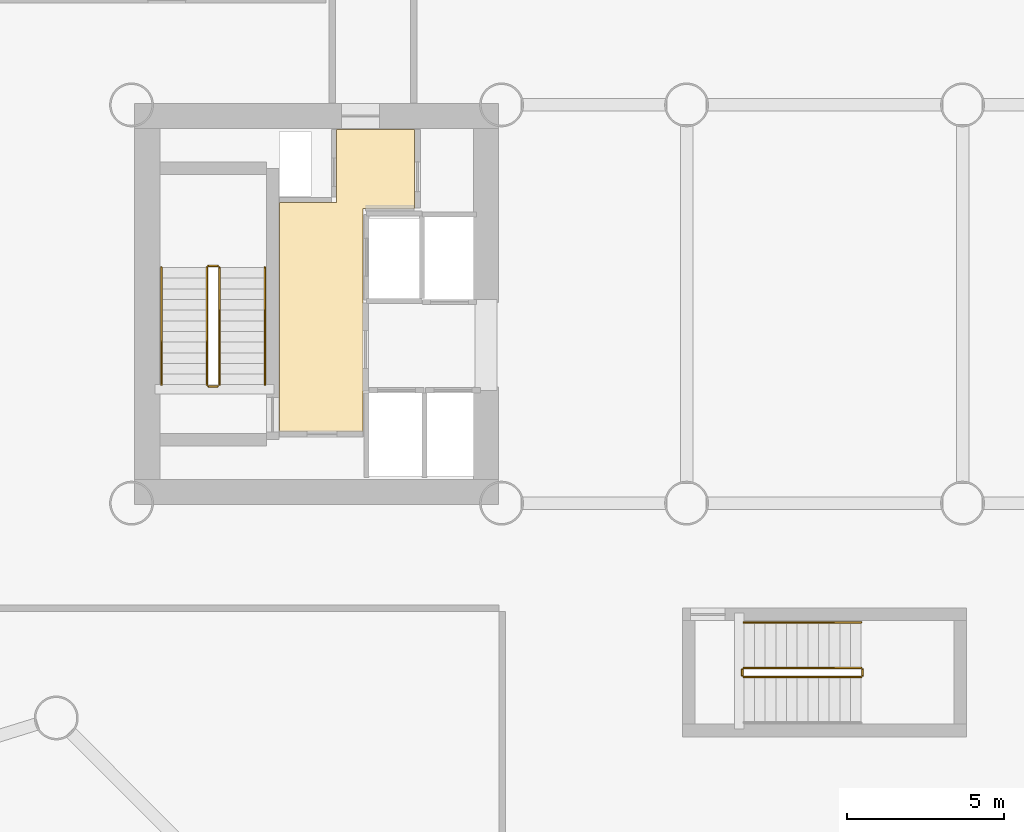
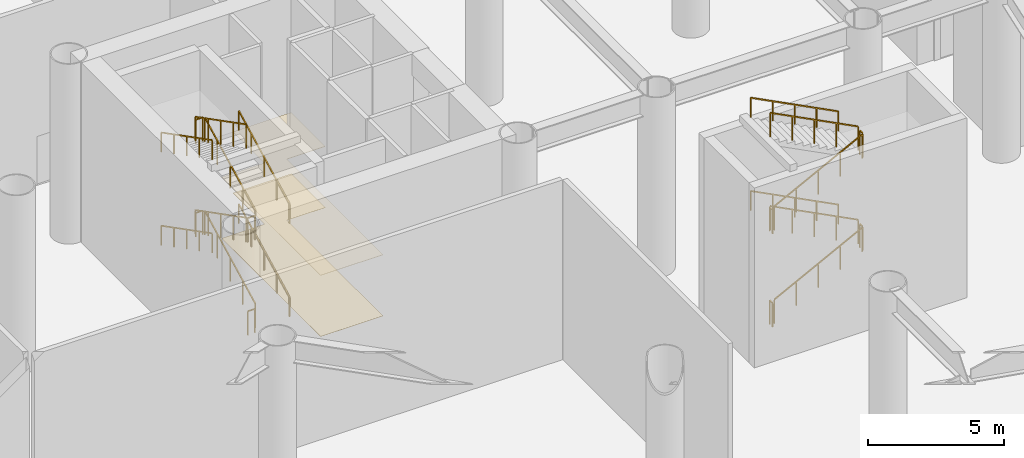
# One storey, part 27 of 28: 22 railings, 2 coverings.
"""IFC4 building model written with IfcOpenShell, lengths in metres."""

from ifc_helpers import new_model, si_unit, direction, frame, origin, origin_2d, place, context, subcontext, project, spatial, polyline, rectangle, outline, extrude, material, layer, layer_set, type_object, element, save


model = new_model("IFC4")

# Units and contexts
model_context = context("Model", 3, precision=1e-05, world=origin(), true_north=direction((0.0, 1.0)))
body_context = subcontext(model_context, "Body", "Model", "MODEL_VIEW")
ifc_project = project(units=[si_unit("LENGTHUNIT", "METRE"), si_unit("AREAUNIT", "SQUARE_METRE"), si_unit("VOLUMEUNIT", "CUBIC_METRE"), si_unit("PLANEANGLEUNIT", "RADIAN"), si_unit("MASSUNIT", "GRAM", prefix="KILO")], contexts=[model_context])

# Site, building, storey
site_placement = place(None, origin())
site = spatial("IfcSite", under=ifc_project, at=site_placement, CompositionType="ELEMENT")
building_placement = place(site_placement, origin())
building = spatial("IfcBuilding", under=site, at=building_placement, Name="Tavrogorsk Clinical Tower", CompositionType="ELEMENT")
storey_placement = place(building_placement, origin())
storey = spatial("IfcBuildingStorey", under=building, at=storey_placement, Name="L00", CompositionType="ELEMENT", Elevation=0.0)

# Coverings
ifc_material_1 = material(Name="Antibacterial micro-perforated aluminium ceiling", Category="aluminium")
ifc_layer_1 = layer(ifc_material_1, 0.014892578125)
ifc_layer_set_1 = layer_set([ifc_layer_1], Name="Antibacterial micro-perforated aluminium ceiling")
covering_type_1 = type_object("IfcCoveringType", Name="ClinicalCeiling_15", PredefinedType="CEILING", material=ifc_layer_set_1)
covering_1_placement = place(storey_placement, frame((0.0, 0.0, 2.75)))
element("IfcCovering", 1, at=covering_1_placement, inside=storey, type_object=covering_type_1, Name="Core West Firefighting Lift Lobby Acoustic Ceiling", PredefinedType="CEILING", context=body_context, shape_type="SweptSolid", body=[
    extrude(outline(polyline([(-14.719970703125, -4.06005859375), (-17.3798828125, -4.06005859375), (-17.3798828125, 3.239990234375), (-15.56005859375, 3.239990234375), (-15.56005859375, 5.56005859375), (-14.719970703125, 5.56005859375), (-13.080078125, 5.56005859375), (-13.080078125, 3.0400390625), (-14.719970703125, 3.0400390625), (-14.719970703125, -4.06005859375)])), origin(), (0.0, 0.0, 1.0), 0.014892578125),
])
ifc_material_2 = material(Name="Homogeneous medical conductive PVC flooring")
ifc_layer_2 = layer(ifc_material_2, 0.008056640625)
ifc_layer_set_2 = layer_set([ifc_layer_2], Name="Homogeneous medical conductive PVC flooring")
covering_type_2 = type_object("IfcCoveringType", Name="ResilientVinylFloor_8", PredefinedType="FLOORING", material=ifc_layer_set_2)
covering_2_placement = place(storey_placement, origin())
element("IfcCovering", 2, at=covering_2_placement, inside=storey, type_object=covering_type_2, Name="Core West Firefighting Lift Lobby Conductive Vinyl Flooring", PredefinedType="FLOORING", context=body_context, shape_type="SweptSolid", body=[
    extrude(outline(polyline([(-14.719970703125, -4.06005859375), (-17.3798828125, -4.06005859375), (-17.3798828125, 3.239990234375), (-15.56005859375, 3.239990234375), (-15.56005859375, 5.56005859375), (-14.719970703125, 5.56005859375), (-13.080078125, 5.56005859375), (-13.080078125, 3.0400390625), (-14.719970703125, 3.0400390625), (-14.719970703125, -4.06005859375)])), origin(), (0.0, 0.0, 1.0), 0.008056640625),
])

# Railings
ifc_material_3 = material(Name="Galvanised steel S355 safety stairwell guard", Category="steel")
ifc_layer_3 = layer(ifc_material_3, 0.06005859375)
ifc_layer_set_3 = layer_set([ifc_layer_3], Name="Galvanised steel S355 safety stairwell guard")
railing_type_1 = type_object("IfcRailingType", Name="StairGuard_1150", PredefinedType="GUARDRAIL", material=ifc_layer_set_3)
railing_1_placement = place(storey_placement, frame((-19.300048828125, -2.574951171875, 0.175048828125)))
element("IfcRailing", 3, at=railing_1_placement, inside=storey, type_object=railing_type_1, Name="L00 ST-W stair guard 1", PredefinedType="GUARDRAIL", context=body_context, shape_type="SweptSolid", body=[
    extrude(rectangle(XDim=0.048095703125, YDim=0.048095703125, at=origin_2d()), frame((0.0, 0.0, 1.076171875), z_axis=(0.0, 0.889130600629, 0.457653553493), x_axis=(-1.0, 0.0, 0.0)), (0.0, 0.0, 1.0), 4.206298828125),
    extrude(rectangle(XDim=0.0419921875, YDim=0.0419921875, at=origin_2d()), origin(), (0.0, 0.0, 1.0), 1.052001953125),
    extrude(rectangle(XDim=0.0419921875, YDim=0.0419921875, at=origin_2d()), frame((0.0, 0.93505859375, 0.481201171875)), (0.0, 0.0, 1.0), 1.052001953125),
    extrude(rectangle(XDim=0.0419921875, YDim=0.0419921875, at=origin_2d()), frame((0.0, 1.8701171875, 0.96240234375)), (0.0, 0.0, 1.0), 1.052001953125),
    extrude(rectangle(XDim=0.0419921875, YDim=0.0419921875, at=origin_2d()), frame((0.0, 2.804931640625, 1.44384765625)), (0.0, 0.0, 1.0), 1.052001953125),
    extrude(rectangle(XDim=0.0419921875, YDim=0.0419921875, at=origin_2d()), frame((0.0, 3.739990234375, 1.925048828125)), (0.0, 0.0, 1.0), 1.052001953125),
])
railing_2_placement = place(storey_placement, frame((-19.35009765625, 1.215087890625, 2.10009765625)))
element("IfcRailing", 4, at=railing_2_placement, inside=storey, type_object=railing_type_1, Name="L00 ST-W stair guard 2", PredefinedType="GUARDRAIL", context=body_context, shape_type="SweptSolid", body=[
    extrude(rectangle(XDim=0.048095703125, YDim=0.048095703125, at=origin_2d()), frame((0.0, 0.0, 1.076171875), z_axis=(-1.0, 0.0, 0.0), x_axis=(0.0, -1.0, 0.0)), (0.0, 0.0, 1.0), 0.2998046875),
    extrude(rectangle(XDim=0.0419921875, YDim=0.0419921875, at=origin_2d()), origin(), (0.0, 0.0, 1.0), 1.052001953125),
    extrude(rectangle(XDim=0.0419921875, YDim=0.0419921875, at=origin_2d()), frame((-0.2998046875, 0.0, 0.0)), (0.0, 0.0, 1.0), 1.052001953125),
])
railing_3_placement = place(storey_placement, frame((-19.699951171875, 1.1650390625, 2.27490234375)))
element("IfcRailing", 5, at=railing_3_placement, inside=storey, type_object=railing_type_1, Name="L00 ST-W stair guard 3", PredefinedType="GUARDRAIL", context=body_context, shape_type="SweptSolid", body=[
    extrude(rectangle(XDim=0.048095703125, YDim=0.048095703125, at=origin_2d()), frame((0.0, 0.0, 1.076171875), z_axis=(0.0, -0.889130600629, 0.457653553493), x_axis=(1.0, 0.0, 0.0)), (0.0, 0.0, 1.0), 4.206298828125),
    extrude(rectangle(XDim=0.0419921875, YDim=0.0419921875, at=origin_2d()), origin(), (0.0, 0.0, 1.0), 1.052001953125),
    extrude(rectangle(XDim=0.0419921875, YDim=0.0419921875, at=origin_2d()), frame((0.0, -0.93505859375, 0.481201171875)), (0.0, 0.0, 1.0), 1.052001953125),
    extrude(rectangle(XDim=0.0419921875, YDim=0.0419921875, at=origin_2d()), frame((0.0, -1.8701171875, 0.96240234375)), (0.0, 0.0, 1.0), 1.052001953125),
    extrude(rectangle(XDim=0.0419921875, YDim=0.0419921875, at=origin_2d()), frame((0.0, -2.804931640625, 1.44384765625)), (0.0, 0.0, 1.0), 1.052001953125),
    extrude(rectangle(XDim=0.0419921875, YDim=0.0419921875, at=origin_2d()), frame((0.0, -3.739990234375, 1.925048828125)), (0.0, 0.0, 1.0), 1.052001953125),
])
railing_4_placement = place(storey_placement, frame((-19.35009765625, -2.625, 4.199951171875)))
element("IfcRailing", 6, at=railing_4_placement, inside=storey, type_object=railing_type_1, Name="L00 ST-W stair guard 4", PredefinedType="GUARDRAIL", context=body_context, shape_type="SweptSolid", body=[
    extrude(rectangle(XDim=0.048095703125, YDim=0.048095703125, at=origin_2d()), frame((0.0, 0.0, 1.076171875), z_axis=(-1.0, 0.0, 0.0), x_axis=(0.0, -1.0, 0.0)), (0.0, 0.0, 1.0), 0.2998046875),
    extrude(rectangle(XDim=0.0419921875, YDim=0.0419921875, at=origin_2d()), origin(), (0.0, 0.0, 1.0), 1.052001953125),
    extrude(rectangle(XDim=0.0419921875, YDim=0.0419921875, at=origin_2d()), frame((-0.2998046875, 0.0, 0.0)), (0.0, 0.0, 1.0), 1.052001953125),
])
railing_5_placement = place(storey_placement, frame((-19.300048828125, -2.574951171875, 4.375)))
element("IfcRailing", 7, at=railing_5_placement, inside=storey, type_object=railing_type_1, Name="L00 ST-W stair guard 5", PredefinedType="GUARDRAIL", context=body_context, shape_type="SweptSolid", body=[
    extrude(rectangle(XDim=0.048095703125, YDim=0.048095703125, at=origin_2d()), frame((0.0, 0.0, 1.076171875), z_axis=(0.0, 0.889130600629, 0.457653553493), x_axis=(-1.0, 0.0, 0.0)), (0.0, 0.0, 1.0), 4.206298828125),
    extrude(rectangle(XDim=0.0419921875, YDim=0.0419921875, at=origin_2d()), origin(), (0.0, 0.0, 1.0), 1.052001953125),
    extrude(rectangle(XDim=0.0419921875, YDim=0.0419921875, at=origin_2d()), frame((0.0, 0.93505859375, 0.481201171875)), (0.0, 0.0, 1.0), 1.052001953125),
    extrude(rectangle(XDim=0.0419921875, YDim=0.0419921875, at=origin_2d()), frame((0.0, 1.8701171875, 0.96240234375)), (0.0, 0.0, 1.0), 1.052001953125),
    extrude(rectangle(XDim=0.0419921875, YDim=0.0419921875, at=origin_2d()), frame((0.0, 2.804931640625, 1.44384765625)), (0.0, 0.0, 1.0), 1.052001953125),
    extrude(rectangle(XDim=0.0419921875, YDim=0.0419921875, at=origin_2d()), frame((0.0, 3.739990234375, 1.925048828125)), (0.0, 0.0, 1.0), 1.052001953125),
])
railing_6_placement = place(storey_placement, frame((-19.35009765625, 1.215087890625, 6.300048828125)))
element("IfcRailing", 8, at=railing_6_placement, inside=storey, type_object=railing_type_1, Name="L00 ST-W stair guard 6", PredefinedType="GUARDRAIL", context=body_context, shape_type="SweptSolid", body=[
    extrude(rectangle(XDim=0.048095703125, YDim=0.048095703125, at=origin_2d()), frame((0.0, 0.0, 1.076171875), z_axis=(-1.0, 0.0, 0.0), x_axis=(0.0, -1.0, 0.0)), (0.0, 0.0, 1.0), 0.2998046875),
    extrude(rectangle(XDim=0.0419921875, YDim=0.0419921875, at=origin_2d()), origin(), (0.0, 0.0, 1.0), 1.052001953125),
    extrude(rectangle(XDim=0.0419921875, YDim=0.0419921875, at=origin_2d()), frame((-0.2998046875, 0.0, 0.0)), (0.0, 0.0, 1.0), 1.052001953125),
])
railing_7_placement = place(storey_placement, frame((-19.699951171875, 1.1650390625, 6.47509765625)))
element("IfcRailing", 9, at=railing_7_placement, inside=storey, type_object=railing_type_1, Name="L00 ST-W stair guard 7", PredefinedType="GUARDRAIL", context=body_context, shape_type="SweptSolid", body=[
    extrude(rectangle(XDim=0.048095703125, YDim=0.048095703125, at=origin_2d()), frame((0.0, 0.0, 1.076171875), z_axis=(0.0, -0.889154217769, 0.457607667138), x_axis=(1.0, 0.0, 0.0)), (0.0, 0.0, 1.0), 4.206298828125),
    extrude(rectangle(XDim=0.0419921875, YDim=0.0419921875, at=origin_2d()), origin(), (0.0, 0.0, 1.0), 1.052001953125),
    extrude(rectangle(XDim=0.0419921875, YDim=0.0419921875, at=origin_2d()), frame((0.0, -0.93505859375, 0.481201171875)), (0.0, 0.0, 1.0), 1.052001953125),
    extrude(rectangle(XDim=0.0419921875, YDim=0.0419921875, at=origin_2d()), frame((0.0, -1.8701171875, 0.96240234375)), (0.0, 0.0, 1.0), 1.052001953125),
    extrude(rectangle(XDim=0.0419921875, YDim=0.0419921875, at=origin_2d()), frame((0.0, -2.804931640625, 1.443603515625)), (0.0, 0.0, 1.0), 1.052001953125),
    extrude(rectangle(XDim=0.0419921875, YDim=0.0419921875, at=origin_2d()), frame((0.0, -3.739990234375, 1.9248046875)), (0.0, 0.0, 1.0), 1.052001953125),
])
railing_8_placement = place(storey_placement, frame((-19.35009765625, -2.625, 0.0)))
element("IfcRailing", 10, at=railing_8_placement, inside=storey, type_object=railing_type_1, Name="L00 ST-W stair guard 8", PredefinedType="GUARDRAIL", context=body_context, shape_type="SweptSolid", body=[
    extrude(rectangle(XDim=0.048095703125, YDim=0.048095703125, at=origin_2d()), frame((0.0, 0.0, 1.076171875), z_axis=(-1.0, 0.0, 0.0), x_axis=(0.0, -1.0, 0.0)), (0.0, 0.0, 1.0), 0.2998046875),
    extrude(rectangle(XDim=0.0419921875, YDim=0.0419921875, at=origin_2d()), origin(), (0.0, 0.0, 1.0), 1.052001953125),
    extrude(rectangle(XDim=0.0419921875, YDim=0.0419921875, at=origin_2d()), frame((-0.2998046875, 0.0, 0.0)), (0.0, 0.0, 1.0), 1.052001953125),
])
railing_9_placement = place(storey_placement, frame((-2.574951171875, -11.89990234375, 0.175048828125)))
element("IfcRailing", 11, at=railing_9_placement, inside=storey, type_object=railing_type_1, Name="L00 ST-P stair guard 1", PredefinedType="GUARDRAIL", context=body_context, shape_type="SweptSolid", body=[
    extrude(rectangle(XDim=0.048095703125, YDim=0.048095703125, at=origin_2d()), frame((0.0, 0.0, 1.076171875), z_axis=(0.889130600629, 0.0, 0.457653553493), x_axis=(0.0, 1.0, 0.0)), (0.0, 0.0, 1.0), 4.206298828125),
    extrude(rectangle(XDim=0.0419921875, YDim=0.0419921875, at=origin_2d()), origin(), (0.0, 0.0, 1.0), 1.052001953125),
    extrude(rectangle(XDim=0.0419921875, YDim=0.0419921875, at=origin_2d()), frame((0.93505859375, 0.0, 0.481201171875)), (0.0, 0.0, 1.0), 1.052001953125),
    extrude(rectangle(XDim=0.0419921875, YDim=0.0419921875, at=origin_2d()), frame((1.8701171875, 0.0, 0.96240234375)), (0.0, 0.0, 1.0), 1.052001953125),
    extrude(rectangle(XDim=0.0419921875, YDim=0.0419921875, at=origin_2d()), frame((2.804931640625, 0.0, 1.44384765625)), (0.0, 0.0, 1.0), 1.052001953125),
    extrude(rectangle(XDim=0.0419921875, YDim=0.0419921875, at=origin_2d()), frame((3.739990234375, 0.0, 1.925048828125)), (0.0, 0.0, 1.0), 1.052001953125),
])
railing_10_placement = place(storey_placement, frame((1.215087890625, -11.85009765625, 2.10009765625)))
element("IfcRailing", 12, at=railing_10_placement, inside=storey, type_object=railing_type_1, Name="L00 ST-P stair guard 2", PredefinedType="GUARDRAIL", context=body_context, shape_type="SweptSolid", body=[
    extrude(rectangle(XDim=0.048095703125, YDim=0.048095703125, at=origin_2d()), frame((0.0, 0.0, 1.076171875), z_axis=(0.0, 1.0, 0.0), x_axis=(-1.0, 0.0, 0.0)), (0.0, 0.0, 1.0), 0.2001953125),
    extrude(rectangle(XDim=0.0419921875, YDim=0.0419921875, at=origin_2d()), origin(), (0.0, 0.0, 1.0), 1.052001953125),
    extrude(rectangle(XDim=0.0419921875, YDim=0.0419921875, at=origin_2d()), frame((0.0, 0.2001953125, 0.0)), (0.0, 0.0, 1.0), 1.052001953125),
])
railing_11_placement = place(storey_placement, frame((1.1650390625, -11.60009765625, 2.27490234375)))
element("IfcRailing", 13, at=railing_11_placement, inside=storey, type_object=railing_type_1, Name="L00 ST-P stair guard 3", PredefinedType="GUARDRAIL", context=body_context, shape_type="SweptSolid", body=[
    extrude(rectangle(XDim=0.048095703125, YDim=0.048095703125, at=origin_2d()), frame((0.0, 0.0, 1.076171875), z_axis=(-0.889130600629, 0.0, 0.457653553493), x_axis=(0.0, -1.0, 0.0)), (0.0, 0.0, 1.0), 4.206298828125),
    extrude(rectangle(XDim=0.0419921875, YDim=0.0419921875, at=origin_2d()), origin(), (0.0, 0.0, 1.0), 1.052001953125),
    extrude(rectangle(XDim=0.0419921875, YDim=0.0419921875, at=origin_2d()), frame((-0.93505859375, 0.0, 0.481201171875)), (0.0, 0.0, 1.0), 1.052001953125),
    extrude(rectangle(XDim=0.0419921875, YDim=0.0419921875, at=origin_2d()), frame((-1.8701171875, 0.0, 0.96240234375)), (0.0, 0.0, 1.0), 1.052001953125),
    extrude(rectangle(XDim=0.0419921875, YDim=0.0419921875, at=origin_2d()), frame((-2.804931640625, 0.0, 1.44384765625)), (0.0, 0.0, 1.0), 1.052001953125),
    extrude(rectangle(XDim=0.0419921875, YDim=0.0419921875, at=origin_2d()), frame((-3.739990234375, 0.0, 1.925048828125)), (0.0, 0.0, 1.0), 1.052001953125),
])
railing_12_placement = place(storey_placement, frame((-2.625, -11.85009765625, 4.199951171875)))
element("IfcRailing", 14, at=railing_12_placement, inside=storey, type_object=railing_type_1, Name="L00 ST-P stair guard 4", PredefinedType="GUARDRAIL", context=body_context, shape_type="SweptSolid", body=[
    extrude(rectangle(XDim=0.048095703125, YDim=0.048095703125, at=origin_2d()), frame((0.0, 0.0, 1.076171875), z_axis=(0.0, 1.0, 0.0), x_axis=(-1.0, 0.0, 0.0)), (0.0, 0.0, 1.0), 0.2001953125),
    extrude(rectangle(XDim=0.0419921875, YDim=0.0419921875, at=origin_2d()), origin(), (0.0, 0.0, 1.0), 1.052001953125),
    extrude(rectangle(XDim=0.0419921875, YDim=0.0419921875, at=origin_2d()), frame((0.0, 0.2001953125, 0.0)), (0.0, 0.0, 1.0), 1.052001953125),
])
railing_13_placement = place(storey_placement, frame((-2.574951171875, -11.89990234375, 4.375)))
element("IfcRailing", 15, at=railing_13_placement, inside=storey, type_object=railing_type_1, Name="L00 ST-P stair guard 5", PredefinedType="GUARDRAIL", context=body_context, shape_type="SweptSolid", body=[
    extrude(rectangle(XDim=0.048095703125, YDim=0.048095703125, at=origin_2d()), frame((0.0, 0.0, 1.076171875), z_axis=(0.889130600629, 0.0, 0.457653553493), x_axis=(0.0, 1.0, 0.0)), (0.0, 0.0, 1.0), 4.206298828125),
    extrude(rectangle(XDim=0.0419921875, YDim=0.0419921875, at=origin_2d()), origin(), (0.0, 0.0, 1.0), 1.052001953125),
    extrude(rectangle(XDim=0.0419921875, YDim=0.0419921875, at=origin_2d()), frame((0.93505859375, 0.0, 0.481201171875)), (0.0, 0.0, 1.0), 1.052001953125),
    extrude(rectangle(XDim=0.0419921875, YDim=0.0419921875, at=origin_2d()), frame((1.8701171875, 0.0, 0.96240234375)), (0.0, 0.0, 1.0), 1.052001953125),
    extrude(rectangle(XDim=0.0419921875, YDim=0.0419921875, at=origin_2d()), frame((2.804931640625, 0.0, 1.44384765625)), (0.0, 0.0, 1.0), 1.052001953125),
    extrude(rectangle(XDim=0.0419921875, YDim=0.0419921875, at=origin_2d()), frame((3.739990234375, 0.0, 1.925048828125)), (0.0, 0.0, 1.0), 1.052001953125),
])
railing_14_placement = place(storey_placement, frame((1.215087890625, -11.85009765625, 6.300048828125)))
element("IfcRailing", 16, at=railing_14_placement, inside=storey, type_object=railing_type_1, Name="L00 ST-P stair guard 6", PredefinedType="GUARDRAIL", context=body_context, shape_type="SweptSolid", body=[
    extrude(rectangle(XDim=0.048095703125, YDim=0.048095703125, at=origin_2d()), frame((0.0, 0.0, 1.076171875), z_axis=(0.0, 1.0, 0.0), x_axis=(-1.0, 0.0, 0.0)), (0.0, 0.0, 1.0), 0.2001953125),
    extrude(rectangle(XDim=0.0419921875, YDim=0.0419921875, at=origin_2d()), origin(), (0.0, 0.0, 1.0), 1.052001953125),
    extrude(rectangle(XDim=0.0419921875, YDim=0.0419921875, at=origin_2d()), frame((0.0, 0.2001953125, 0.0)), (0.0, 0.0, 1.0), 1.052001953125),
])
railing_15_placement = place(storey_placement, frame((1.1650390625, -11.60009765625, 6.47509765625)))
element("IfcRailing", 17, at=railing_15_placement, inside=storey, type_object=railing_type_1, Name="L00 ST-P stair guard 7", PredefinedType="GUARDRAIL", context=body_context, shape_type="SweptSolid", body=[
    extrude(rectangle(XDim=0.048095703125, YDim=0.048095703125, at=origin_2d()), frame((0.0, 0.0, 1.076171875), z_axis=(-0.889154217769, 0.0, 0.457607667138), x_axis=(0.0, -1.0, 0.0)), (0.0, 0.0, 1.0), 4.206298828125),
    extrude(rectangle(XDim=0.0419921875, YDim=0.0419921875, at=origin_2d()), origin(), (0.0, 0.0, 1.0), 1.052001953125),
    extrude(rectangle(XDim=0.0419921875, YDim=0.0419921875, at=origin_2d()), frame((-0.93505859375, 0.0, 0.481201171875)), (0.0, 0.0, 1.0), 1.052001953125),
    extrude(rectangle(XDim=0.0419921875, YDim=0.0419921875, at=origin_2d()), frame((-1.8701171875, 0.0, 0.96240234375)), (0.0, 0.0, 1.0), 1.052001953125),
    extrude(rectangle(XDim=0.0419921875, YDim=0.0419921875, at=origin_2d()), frame((-2.804931640625, 0.0, 1.443603515625)), (0.0, 0.0, 1.0), 1.052001953125),
    extrude(rectangle(XDim=0.0419921875, YDim=0.0419921875, at=origin_2d()), frame((-3.739990234375, 0.0, 1.9248046875)), (0.0, 0.0, 1.0), 1.052001953125),
])
railing_16_placement = place(storey_placement, frame((-2.625, -11.85009765625, 0.0)))
element("IfcRailing", 18, at=railing_16_placement, inside=storey, type_object=railing_type_1, Name="L00 ST-P stair guard 8", PredefinedType="GUARDRAIL", context=body_context, shape_type="SweptSolid", body=[
    extrude(rectangle(XDim=0.048095703125, YDim=0.048095703125, at=origin_2d()), frame((0.0, 0.0, 1.076171875), z_axis=(0.0, 1.0, 0.0), x_axis=(-1.0, 0.0, 0.0)), (0.0, 0.0, 1.0), 0.2001953125),
    extrude(rectangle(XDim=0.0419921875, YDim=0.0419921875, at=origin_2d()), origin(), (0.0, 0.0, 1.0), 1.052001953125),
    extrude(rectangle(XDim=0.0419921875, YDim=0.0419921875, at=origin_2d()), frame((0.0, 0.2001953125, 0.0)), (0.0, 0.0, 1.0), 1.052001953125),
])
ifc_material_4 = material(Name="Stainless steel AISI 304 tubular handrail", Category="steel")
ifc_layer_4 = layer(ifc_material_4, 0.050048828125)
ifc_layer_set_4 = layer_set([ifc_layer_4], Name="Stainless steel AISI 304 tubular handrail")
railing_type_2 = type_object("IfcRailingType", Name="StairHandrail_920", PredefinedType="HANDRAIL", material=ifc_layer_set_4)
railing_17_placement = place(storey_placement, frame((-17.85009765625, -2.574951171875, 0.175048828125)))
element("IfcRailing", 19, at=railing_17_placement, inside=storey, type_object=railing_type_2, Name="L00 ST-W stair handrail 1", PredefinedType="HANDRAIL", context=body_context, shape_type="SweptSolid", body=[
    extrude(rectangle(XDim=0.048095703125, YDim=0.048095703125, at=origin_2d()), frame((0.0, 0.0, 0.8759765625), z_axis=(0.0, 0.889130600629, 0.457653553493), x_axis=(-1.0, 0.0, 0.0)), (0.0, 0.0, 1.0), 4.206298828125),
    extrude(rectangle(XDim=0.0419921875, YDim=0.0419921875, at=origin_2d()), origin(), (0.0, 0.0, 1.0), 0.851806640625),
    extrude(rectangle(XDim=0.0419921875, YDim=0.0419921875, at=origin_2d()), frame((0.0, 0.93505859375, 0.481201171875)), (0.0, 0.0, 1.0), 0.851806640625),
    extrude(rectangle(XDim=0.0419921875, YDim=0.0419921875, at=origin_2d()), frame((0.0, 1.8701171875, 0.96240234375)), (0.0, 0.0, 1.0), 0.851806640625),
    extrude(rectangle(XDim=0.0419921875, YDim=0.0419921875, at=origin_2d()), frame((0.0, 2.804931640625, 1.44384765625)), (0.0, 0.0, 1.0), 0.851806640625),
    extrude(rectangle(XDim=0.0419921875, YDim=0.0419921875, at=origin_2d()), frame((0.0, 3.739990234375, 1.925048828125)), (0.0, 0.0, 1.0), 0.851806640625),
])
railing_18_placement = place(storey_placement, frame((-21.14990234375, 1.1650390625, 2.27490234375)))
element("IfcRailing", 20, at=railing_18_placement, inside=storey, type_object=railing_type_2, Name="L00 ST-W stair handrail 2", PredefinedType="HANDRAIL", context=body_context, shape_type="SweptSolid", body=[
    extrude(rectangle(XDim=0.048095703125, YDim=0.048095703125, at=origin_2d()), frame((0.0, 0.0, 0.8759765625), z_axis=(0.0, -0.889130600629, 0.457653553493), x_axis=(1.0, 0.0, 0.0)), (0.0, 0.0, 1.0), 4.206298828125),
    extrude(rectangle(XDim=0.0419921875, YDim=0.0419921875, at=origin_2d()), origin(), (0.0, 0.0, 1.0), 0.851806640625),
    extrude(rectangle(XDim=0.0419921875, YDim=0.0419921875, at=origin_2d()), frame((0.0, -0.93505859375, 0.481201171875)), (0.0, 0.0, 1.0), 0.851806640625),
    extrude(rectangle(XDim=0.0419921875, YDim=0.0419921875, at=origin_2d()), frame((0.0, -1.8701171875, 0.96240234375)), (0.0, 0.0, 1.0), 0.851806640625),
    extrude(rectangle(XDim=0.0419921875, YDim=0.0419921875, at=origin_2d()), frame((0.0, -2.804931640625, 1.44384765625)), (0.0, 0.0, 1.0), 0.851806640625),
    extrude(rectangle(XDim=0.0419921875, YDim=0.0419921875, at=origin_2d()), frame((0.0, -3.739990234375, 1.925048828125)), (0.0, 0.0, 1.0), 0.851806640625),
])
railing_19_placement = place(storey_placement, frame((-17.85009765625, -2.574951171875, 4.375)))
element("IfcRailing", 21, at=railing_19_placement, inside=storey, type_object=railing_type_2, Name="L00 ST-W stair handrail 3", PredefinedType="HANDRAIL", context=body_context, shape_type="SweptSolid", body=[
    extrude(rectangle(XDim=0.048095703125, YDim=0.048095703125, at=origin_2d()), frame((0.0, 0.0, 0.8759765625), z_axis=(0.0, 0.889130600629, 0.457653553493), x_axis=(-1.0, 0.0, 0.0)), (0.0, 0.0, 1.0), 4.206298828125),
    extrude(rectangle(XDim=0.0419921875, YDim=0.0419921875, at=origin_2d()), origin(), (0.0, 0.0, 1.0), 0.851806640625),
    extrude(rectangle(XDim=0.0419921875, YDim=0.0419921875, at=origin_2d()), frame((0.0, 0.93505859375, 0.481201171875)), (0.0, 0.0, 1.0), 0.851806640625),
    extrude(rectangle(XDim=0.0419921875, YDim=0.0419921875, at=origin_2d()), frame((0.0, 1.8701171875, 0.96240234375)), (0.0, 0.0, 1.0), 0.851806640625),
    extrude(rectangle(XDim=0.0419921875, YDim=0.0419921875, at=origin_2d()), frame((0.0, 2.804931640625, 1.44384765625)), (0.0, 0.0, 1.0), 0.851806640625),
    extrude(rectangle(XDim=0.0419921875, YDim=0.0419921875, at=origin_2d()), frame((0.0, 3.739990234375, 1.925048828125)), (0.0, 0.0, 1.0), 0.851806640625),
])
railing_20_placement = place(storey_placement, frame((-21.14990234375, 1.1650390625, 6.47509765625)))
element("IfcRailing", 22, at=railing_20_placement, inside=storey, type_object=railing_type_2, Name="L00 ST-W stair handrail 4", PredefinedType="HANDRAIL", context=body_context, shape_type="SweptSolid", body=[
    extrude(rectangle(XDim=0.048095703125, YDim=0.048095703125, at=origin_2d()), frame((0.0, 0.0, 0.8759765625), z_axis=(0.0, -0.889154217769, 0.457607667138), x_axis=(1.0, 0.0, 0.0)), (0.0, 0.0, 1.0), 4.206298828125),
    extrude(rectangle(XDim=0.0419921875, YDim=0.0419921875, at=origin_2d()), origin(), (0.0, 0.0, 1.0), 0.851806640625),
    extrude(rectangle(XDim=0.0419921875, YDim=0.0419921875, at=origin_2d()), frame((0.0, -0.93505859375, 0.481201171875)), (0.0, 0.0, 1.0), 0.851806640625),
    extrude(rectangle(XDim=0.0419921875, YDim=0.0419921875, at=origin_2d()), frame((0.0, -1.8701171875, 0.96240234375)), (0.0, 0.0, 1.0), 0.851806640625),
    extrude(rectangle(XDim=0.0419921875, YDim=0.0419921875, at=origin_2d()), frame((0.0, -2.804931640625, 1.443603515625)), (0.0, 0.0, 1.0), 0.851806640625),
    extrude(rectangle(XDim=0.0419921875, YDim=0.0419921875, at=origin_2d()), frame((0.0, -3.739990234375, 1.9248046875)), (0.0, 0.0, 1.0), 0.851806640625),
])
railing_21_placement = place(storey_placement, frame((1.1650390625, -10.14990234375, 2.27490234375)))
element("IfcRailing", 23, at=railing_21_placement, inside=storey, type_object=railing_type_2, Name="L00 ST-P stair handrail 2", PredefinedType="HANDRAIL", context=body_context, shape_type="SweptSolid", body=[
    extrude(rectangle(XDim=0.048095703125, YDim=0.048095703125, at=origin_2d()), frame((0.0, 0.0, 0.8759765625), z_axis=(-0.889130600629, 0.0, 0.457653553493), x_axis=(0.0, -1.0, 0.0)), (0.0, 0.0, 1.0), 4.206298828125),
    extrude(rectangle(XDim=0.0419921875, YDim=0.0419921875, at=origin_2d()), origin(), (0.0, 0.0, 1.0), 0.851806640625),
    extrude(rectangle(XDim=0.0419921875, YDim=0.0419921875, at=origin_2d()), frame((-0.93505859375, 0.0, 0.481201171875)), (0.0, 0.0, 1.0), 0.851806640625),
    extrude(rectangle(XDim=0.0419921875, YDim=0.0419921875, at=origin_2d()), frame((-1.8701171875, 0.0, 0.96240234375)), (0.0, 0.0, 1.0), 0.851806640625),
    extrude(rectangle(XDim=0.0419921875, YDim=0.0419921875, at=origin_2d()), frame((-2.804931640625, 0.0, 1.44384765625)), (0.0, 0.0, 1.0), 0.851806640625),
    extrude(rectangle(XDim=0.0419921875, YDim=0.0419921875, at=origin_2d()), frame((-3.739990234375, 0.0, 1.925048828125)), (0.0, 0.0, 1.0), 0.851806640625),
])
railing_22_placement = place(storey_placement, frame((1.1650390625, -10.14990234375, 6.47509765625)))
element("IfcRailing", 24, at=railing_22_placement, inside=storey, type_object=railing_type_2, Name="L00 ST-P stair handrail 4", PredefinedType="HANDRAIL", context=body_context, shape_type="SweptSolid", body=[
    extrude(rectangle(XDim=0.048095703125, YDim=0.048095703125, at=origin_2d()), frame((0.0, 0.0, 0.8759765625), z_axis=(-0.889154217769, 0.0, 0.457607667138), x_axis=(0.0, -1.0, 0.0)), (0.0, 0.0, 1.0), 4.206298828125),
    extrude(rectangle(XDim=0.0419921875, YDim=0.0419921875, at=origin_2d()), origin(), (0.0, 0.0, 1.0), 0.851806640625),
    extrude(rectangle(XDim=0.0419921875, YDim=0.0419921875, at=origin_2d()), frame((-0.93505859375, 0.0, 0.481201171875)), (0.0, 0.0, 1.0), 0.851806640625),
    extrude(rectangle(XDim=0.0419921875, YDim=0.0419921875, at=origin_2d()), frame((-1.8701171875, 0.0, 0.96240234375)), (0.0, 0.0, 1.0), 0.851806640625),
    extrude(rectangle(XDim=0.0419921875, YDim=0.0419921875, at=origin_2d()), frame((-2.804931640625, 0.0, 1.443603515625)), (0.0, 0.0, 1.0), 0.851806640625),
    extrude(rectangle(XDim=0.0419921875, YDim=0.0419921875, at=origin_2d()), frame((-3.739990234375, 0.0, 1.9248046875)), (0.0, 0.0, 1.0), 0.851806640625),
])

save(model, "model.ifc")
